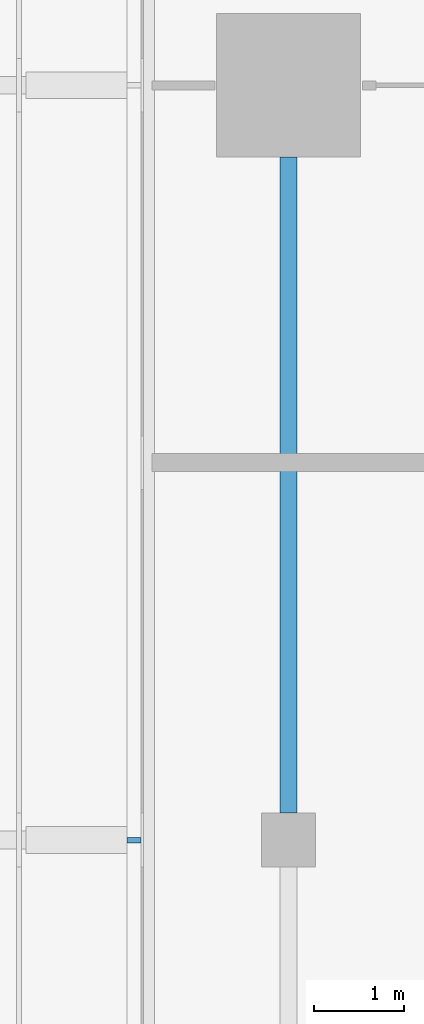
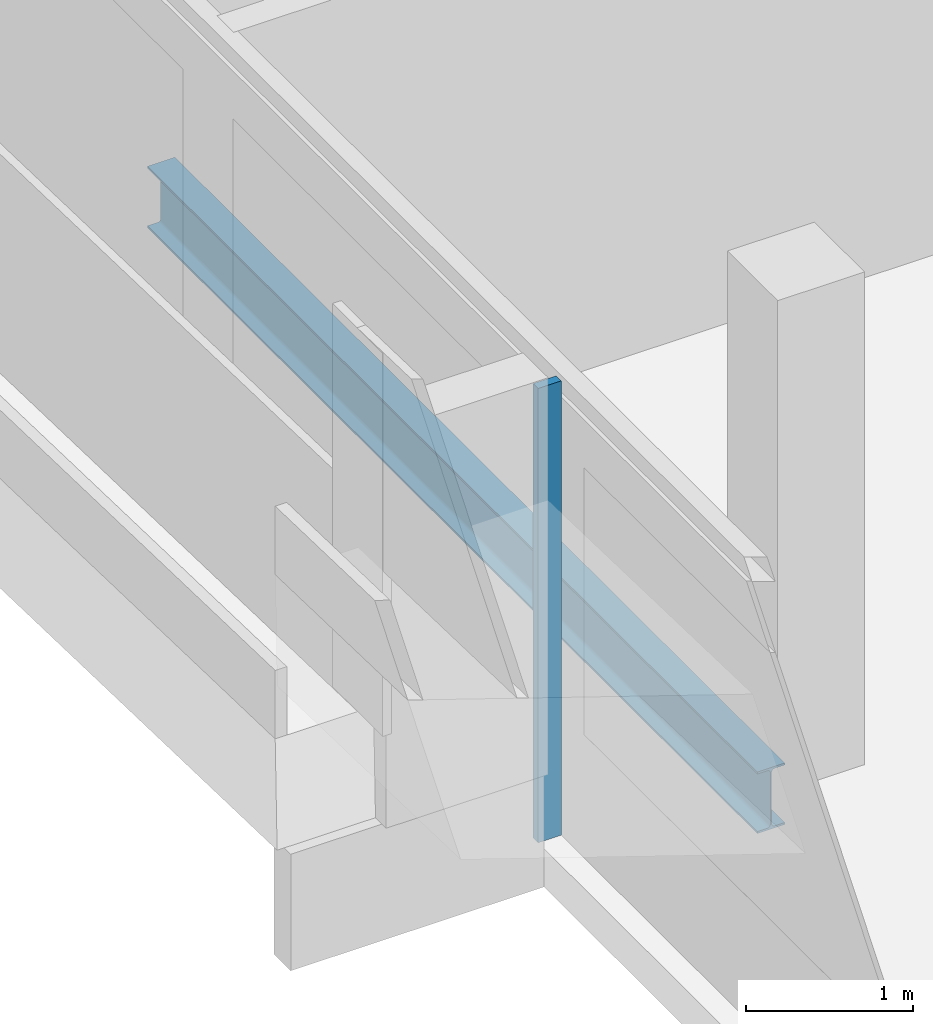
# One storey, part 4 of 29: 1 beam, 1 member, 1 element without a shape of its own.
"""IFC4 building model written with IfcOpenShell, lengths in metres."""

from ifc_helpers import new_model, si_unit, direction, frame, origin, origin_2d, place, context, subcontext, project, spatial, rectangle, i_section, extrude, material, material_profile, profile_set, type_object, element, aggregate, save


model = new_model("IFC4")

# Units and contexts
model_context = context("Model", 3, precision=1e-05, world=origin(), true_north=direction((0.0, 1.0)))
body_context = subcontext(model_context, "Body", "Model", "MODEL_VIEW")
ifc_project = project(units=[si_unit("LENGTHUNIT", "METRE"), si_unit("AREAUNIT", "SQUARE_METRE"), si_unit("VOLUMEUNIT", "CUBIC_METRE"), si_unit("PLANEANGLEUNIT", "RADIAN"), si_unit("MASSUNIT", "GRAM", prefix="KILO")], contexts=[model_context])

# Site, building, storey
site_placement = place(None, origin())
site = spatial("IfcSite", under=ifc_project, at=site_placement, CompositionType="ELEMENT")
building_placement = place(site_placement, origin())
building = spatial("IfcBuilding", under=site, at=building_placement, Name="Saffron Gate Tower", CompositionType="ELEMENT")
storey_placement = place(building_placement, frame((0.0, 0.0, 219.89990234375)))
storey = spatial("IfcBuildingStorey", under=building, at=storey_placement, Name="L53", CompositionType="ELEMENT", Elevation=219.89990234375)

# Beam
ifc_material_1 = material(Name="Structural steel S355", Category="steel")
ifc_material_profile_1 = material_profile(ifc_material_1, i_section(OverallWidth=0.18994140625, OverallDepth=0.449951171875, WebThickness=0.009521484375, FlangeThickness=0.0146484375, FilletRadius=0.02099609375, at=origin_2d()))
ifc_profile_set_1 = profile_set([ifc_material_profile_1], Name="Structural steel S355")
beam_type = type_object("IfcBeamType", Name="B7 IPE 450", PredefinedType="SPANDREL", material=ifc_profile_set_1)
beam_placement = place(storey_placement, frame((49.800048828125, 57.300048828125, -0.5048828125), z_axis=(0.0, 1.0, 0.0), x_axis=(-1.0, 0.0, 0.0)))
element("IfcBeam", 1, at=beam_placement, inside=storey, type_object=beam_type, Name="B7 SPANDREL BEAM", PredefinedType="SPANDREL", context=body_context, shape_type="SweptSolid", body=[
    extrude(i_section(OverallWidth=0.18994140625, OverallDepth=0.449951171875, WebThickness=0.009521484375, FlangeThickness=0.0146484375, FilletRadius=0.02099609375, at=origin_2d()), origin(), (0.0, 0.0, 1.0), 7.300048828125),
])

# Curtain wall, member
ifc_material_2 = material(Name="Aluminium, bronze anodised", Category="aluminium")
curtain_wall_type = type_object("IfcCurtainWallType", Name="CWS2 curtain wall side facades", PredefinedType="NOTDEFINED", material=ifc_material_2)
curtain_wall_placement = place(storey_placement, origin())
curtain_wall = element("IfcCurtainWall", 2, at=curtain_wall_placement, inside=storey, type_object=curtain_wall_type, Name="CWS2 run 10", PredefinedType="NOTDEFINED")
ifc_material_profile_2 = material_profile(ifc_material_2, rectangle(XDim=0.159912109375, YDim=0.06005859375, at=origin_2d()))
ifc_profile_set_2 = profile_set([ifc_material_profile_2], Name="Aluminium, bronze anodised")
member_type = type_object("IfcMemberType", Name="CWS2 mullion 60x160", PredefinedType="MULLION", material=ifc_profile_set_2)
member_placement = place(storey_placement, frame((48.080078125, 57.0, 0.0), z_axis=(0.0, 0.0, 1.0), x_axis=(1.0, 0.0, 0.0)))
member = element("IfcMember", 3, at=member_placement, type_object=member_type, Name="CWS2 mullion 3", PredefinedType="MULLION", context=body_context, shape_type="SweptSolid", body=[
    extrude(rectangle(XDim=0.159912109375, YDim=0.06005859375, at=origin_2d()), origin(), (0.0, 0.0, 1.0), 3.320068359375),
])
aggregate(curtain_wall, [member])

save(model, "model.ifc")
